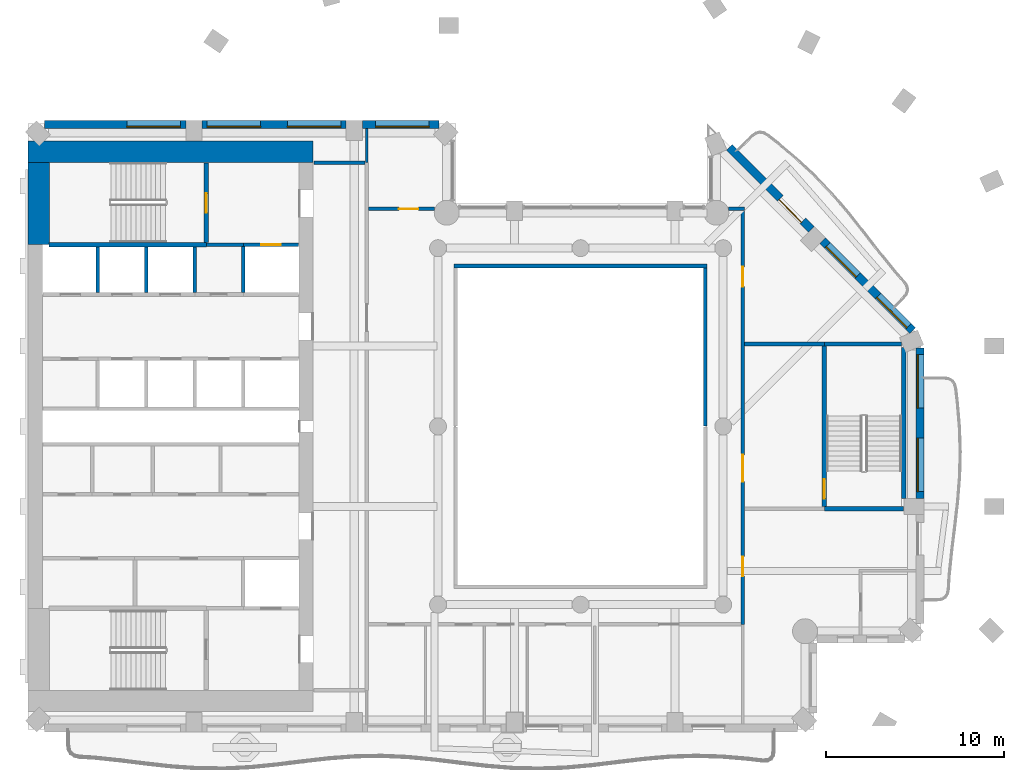
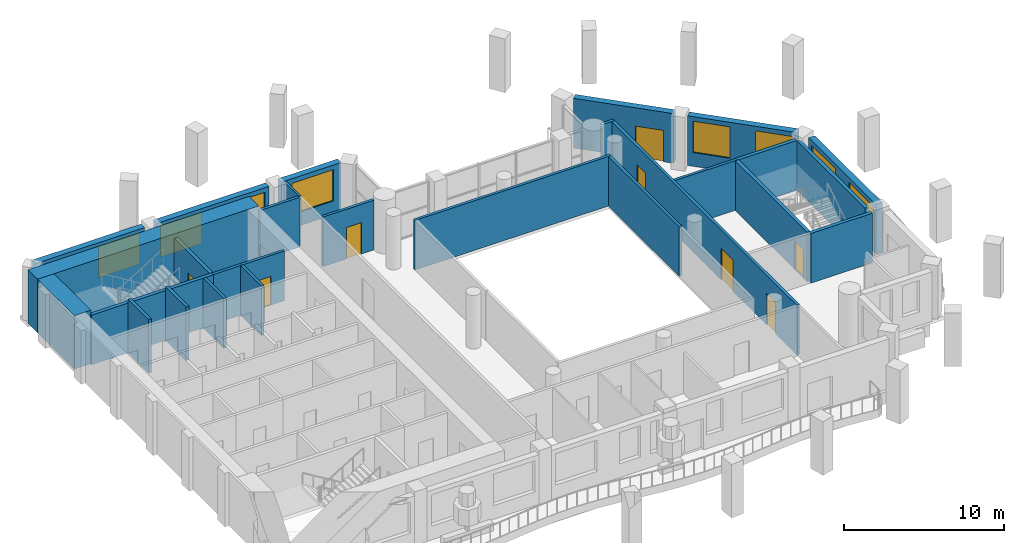
# One storey, part 6 of 14: 28 walls, 8 doors, 8 windows, 16 openings.
"""IFC4 building model written with IfcOpenShell, lengths in metres."""

from ifc_helpers import new_model, si_unit, direction, frame, frame_2d, origin, place, context, subcontext, project, spatial, rectangle, extrude, material, layer, layer_set, type_object, element, fill, save


model = new_model("IFC4")

# Units and contexts
model_context = context("Model", 3, precision=1e-05, world=origin(), true_north=direction((0.0, 1.0)))
body_context = subcontext(model_context, "Body", "Model", "MODEL_VIEW")
ifc_project = project(units=[si_unit("LENGTHUNIT", "METRE"), si_unit("AREAUNIT", "SQUARE_METRE"), si_unit("VOLUMEUNIT", "CUBIC_METRE"), si_unit("PLANEANGLEUNIT", "RADIAN"), si_unit("MASSUNIT", "GRAM", prefix="KILO")], contexts=[model_context])

# Site, building, storey
site_placement = place(None, origin())
site = spatial("IfcSite", under=ifc_project, at=site_placement, CompositionType="ELEMENT")
building_placement = place(site_placement, origin())
building = spatial("IfcBuilding", under=site, at=building_placement, Name="Cypress Arch Tower", CompositionType="ELEMENT")
storey_placement = place(building_placement, frame((0.0, 0.0, 185.10009765625)))
storey = spatial("IfcBuildingStorey", under=building, at=storey_placement, Name="L40", CompositionType="ELEMENT", Elevation=185.10009765625)

# Wall, openings, windows
ifc_material_1 = material(Name="Brick (red buff blend)", Category="masonry")
ifc_layer_1 = layer(ifc_material_1, 0.449951171875)
ifc_layer_set_1 = layer_set([ifc_layer_1], Name="Brick pier and spandrel wall BW450")
wall_type_1 = type_object("IfcWallType", Name="Brick pier and spandrel wall BW450", PredefinedType="SOLIDWALL", material=ifc_layer_set_1)
wall_1_placement = place(storey_placement, frame((20.02490234375, -4.050048828125, 0.0), z_axis=(0.0, 0.0, 1.0), x_axis=(0.0, 1.0, 0.0)))
wall_1 = element("IfcWall", 1, at=wall_1_placement, inside=storey, type_object=wall_type_1, Name="Brick wall L40 B04.1", PredefinedType="SOLIDWALL", context=body_context, shape_type="SweptSolid", body=[
    extrude(rectangle(XDim=8.438720703125, YDim=0.449951171875, at=frame_2d((4.21923828125, 0.0))), origin(), (0.0, 0.0, 1.0), 3.7998046875),
])
opening_1_placement = place(wall_1_placement, frame((0.39404296875, 0.0, 1.050048828125)))
opening_1 = element("IfcOpeningElement", 2, at=opening_1_placement, cuts=wall_1, Name="Opening W300OD", PredefinedType="OPENING", context=body_context, shape_type="SweptSolid", body=[
    extrude(rectangle(XDim=3.0, YDim=2.39990234375, at=frame_2d((1.5, 1.199951171875))), frame((0.0, 0.23486328125, 0.0), z_axis=(0.0, -1.0, 0.0), x_axis=(1.0, 0.0, 0.0)), (0.0, 0.0, 1.0), 0.469970703125),
])
opening_2_placement = place(wall_1_placement, frame((5.081787109375, 0.0, 1.050048828125)))
opening_2 = element("IfcOpeningElement", 3, at=opening_2_placement, cuts=wall_1, Name="Opening W300OD", PredefinedType="OPENING", context=body_context, shape_type="SweptSolid", body=[
    extrude(rectangle(XDim=3.0, YDim=2.39990234375, at=frame_2d((1.5, 1.199951171875))), frame((0.0, 0.23486328125, 0.0), z_axis=(0.0, -1.0, 0.0), x_axis=(1.0, 0.0, 0.0)), (0.0, 0.0, 1.0), 0.469970703125),
])
ifc_material_2 = material(Name="Anodised aluminium, bronze finish, laminated low-emissivity double glazing, large-missile impact rated", Category="aluminium")
window_type_1 = type_object("IfcWindowType", Name="Window Office 3000x2400 debris-rated", PartitioningType="SINGLE_PANEL", PredefinedType="WINDOW", material=ifc_material_2)
window_1_placement = place(opening_1_placement, origin())
window_1 = element("IfcWindow", 4, at=window_1_placement, inside=storey, type_object=window_type_1, Name="Window L40 B04.1.1", OverallHeight=2.39990234375, OverallWidth=3.0, PartitioningType="SINGLE_PANEL", PredefinedType="WINDOW", context=body_context, shape_type="SweptSolid", body=[
    extrude(rectangle(XDim=3.0, YDim=2.39990234375, at=frame_2d((1.5, 1.199951171875))), frame((0.0, 0.135009765625, 0.0), z_axis=(0.0, -1.0, 0.0), x_axis=(1.0, 0.0, 0.0)), (0.0, 0.0, 1.0), 0.06005859375),
])
fill(opening_1, window_1)
window_2_placement = place(opening_2_placement, origin())
window_2 = element("IfcWindow", 5, at=window_2_placement, inside=storey, type_object=window_type_1, Name="Window L40 B04.1.2", OverallHeight=2.39990234375, OverallWidth=3.0, PartitioningType="SINGLE_PANEL", PredefinedType="WINDOW", context=body_context, shape_type="SweptSolid", body=[
    extrude(rectangle(XDim=3.0, YDim=2.39990234375, at=frame_2d((1.5, 1.199951171875))), frame((0.0, 0.135009765625, 0.0), z_axis=(0.0, -1.0, 0.0), x_axis=(1.0, 0.0, 0.0)), (0.0, 0.0, 1.0), 0.06005859375),
])
fill(opening_2, window_2)

wall_2_placement = place(storey_placement, frame((19.61474609375, 5.379150390625, 0.0), z_axis=(0.0, 0.0, 1.0), x_axis=(-0.707089646058, 0.7071239159, 0.0)))
wall_2 = element("IfcWall", 6, at=wall_2_placement, inside=storey, type_object=wall_type_1, Name="Brick wall L40 B05.0", PredefinedType="SOLIDWALL", context=body_context, shape_type="SweptSolid", body=[
    extrude(rectangle(XDim=7.1240234375, YDim=0.449951171875, at=frame_2d((3.56201171875, 0.0))), origin(), (0.0, 0.0, 1.0), 3.7998046875),
])
opening_3_placement = place(wall_2_placement, frame((0.328125, 0.0, 1.050048828125)))
opening_3 = element("IfcOpeningElement", 7, at=opening_3_placement, cuts=wall_2, Name="Opening W240OD", PredefinedType="OPENING", context=body_context, shape_type="SweptSolid", body=[
    extrude(rectangle(XDim=2.39990234375, YDim=2.39990234375, at=frame_2d((1.199951171875, 1.199951171875))), frame((0.0, 0.23486328125, 0.0), z_axis=(0.0, -1.0, 0.0), x_axis=(1.0, 0.0, 0.0)), (0.0, 0.0, 1.0), 0.469970703125),
])
opening_4_placement = place(wall_2_placement, frame((4.358642578125, 0.0, 1.050048828125)))
opening_4 = element("IfcOpeningElement", 8, at=opening_4_placement, cuts=wall_2, Name="Opening W240OD", PredefinedType="OPENING", context=body_context, shape_type="SweptSolid", body=[
    extrude(rectangle(XDim=2.39990234375, YDim=2.39990234375, at=frame_2d((1.199951171875, 1.199951171875))), frame((0.0, 0.23486328125, 0.0), z_axis=(0.0, -1.0, 0.0), x_axis=(1.0, 0.0, 0.0)), (0.0, 0.0, 1.0), 0.469970703125),
])
ifc_material_3 = material(Name="Anodised aluminium, bronze finish, laminated low-emissivity double glazing, large-missile impact rated", Category="aluminium")
window_type_2 = type_object("IfcWindowType", Name="Window Office 2400x2400 debris-rated", PartitioningType="SINGLE_PANEL", PredefinedType="WINDOW", material=ifc_material_3)
window_3_placement = place(opening_3_placement, origin())
window_3 = element("IfcWindow", 9, at=window_3_placement, inside=storey, type_object=window_type_2, Name="Window L40 B05.0.1", OverallHeight=2.39990234375, OverallWidth=2.39990234375, PartitioningType="SINGLE_PANEL", PredefinedType="WINDOW", context=body_context, shape_type="SweptSolid", body=[
    extrude(rectangle(XDim=2.39990234375, YDim=2.39990234375, at=frame_2d((1.199951171875, 1.199951171875))), frame((0.0, 0.135009765625, 0.0), z_axis=(0.0, -1.0, 0.0), x_axis=(1.0, 0.0, 0.0)), (0.0, 0.0, 1.0), 0.06005859375),
])
fill(opening_3, window_3)
window_4_placement = place(opening_4_placement, origin())
window_4 = element("IfcWindow", 10, at=window_4_placement, inside=storey, type_object=window_type_2, Name="Window L40 B05.0.2", OverallHeight=2.39990234375, OverallWidth=2.39990234375, PartitioningType="SINGLE_PANEL", PredefinedType="WINDOW", context=body_context, shape_type="SweptSolid", body=[
    extrude(rectangle(XDim=2.39990234375, YDim=2.39990234375, at=frame_2d((1.199951171875, 1.199951171875))), frame((0.0, 0.135009765625, 0.0), z_axis=(0.0, -1.0, 0.0), x_axis=(1.0, 0.0, 0.0)), (0.0, 0.0, 1.0), 0.06005859375),
])
fill(opening_4, window_4)

# Wall, opening, door
wall_3_placement = place(storey_placement, frame((13.94091796875, 11.052978515625, 0.0), z_axis=(0.0, 0.0, 1.0), x_axis=(-0.707106781187, 0.707106781187, 0.0)))
wall_3 = element("IfcWall", 11, at=wall_3_placement, inside=storey, type_object=wall_type_1, Name="Brick wall L40 B05.1", PredefinedType="SOLIDWALL", context=body_context, shape_type="SweptSolid", body=[
    extrude(rectangle(XDim=6.505126953125, YDim=0.449951171875, at=frame_2d((3.25244140625, 0.0))), origin(), (0.0, 0.0, 1.0), 3.7998046875),
])
opening_5_placement = place(wall_3_placement, frame((0.665283203125, 0.0, 0.0)))
opening_5 = element("IfcOpeningElement", 12, at=opening_5_placement, cuts=wall_3, Name="Opening D-L40-B05.1.1", PredefinedType="OPENING", context=body_context, shape_type="SweptSolid", body=[
    extrude(rectangle(XDim=1.800048828125, YDim=2.39990234375, at=frame_2d((0.89990234375, 1.199951171875))), frame((0.0, 0.23486328125, 0.0), z_axis=(0.0, -1.0, 0.0), x_axis=(1.0, 0.0, 0.0)), (0.0, 0.0, 1.0), 0.469970703125),
])
ifc_material_4 = material(Name="Anodised aluminium, bronze finish, laminated low-emissivity double glazing, large-missile impact rated", Category="aluminium")
door_type_1 = type_object("IfcDoorType", Name="Balcony sliding door 1800x2400", OperationType="SLIDING_TO_LEFT", PredefinedType="DOOR", material=ifc_material_4)
door_1_placement = place(opening_5_placement, origin())
door_1 = element("IfcDoor", 13, at=door_1_placement, inside=storey, type_object=door_type_1, Name="Balcony door L40 B05.1.1", OperationType="SLIDING_TO_LEFT", OverallHeight=2.39990234375, OverallWidth=1.800048828125, PredefinedType="DOOR", context=body_context, shape_type="SweptSolid", body=[
    extrude(rectangle(XDim=1.800048828125, YDim=2.39990234375, at=frame_2d((0.89990234375, 1.199951171875))), frame((0.0, 0.1298828125, 0.0), z_axis=(0.0, -1.0, 0.0), x_axis=(1.0, 0.0, 0.0)), (0.0, 0.0, 1.0), 0.050048828125),
])
fill(opening_5, door_1)

# Wall, opening, window
wall_4_placement = place(storey_placement, frame((-6.936279296875, 16.925048828125, 0.0), z_axis=(0.0, 0.0, 1.0), x_axis=(-1.0, 0.0, 0.0)))
wall_4 = element("IfcWall", 14, at=wall_4_placement, inside=storey, type_object=wall_type_1, Name="Brick wall L40 B09.0", PredefinedType="SOLIDWALL", context=body_context, shape_type="SweptSolid", body=[
    extrude(rectangle(XDim=4.313720703125, YDim=0.449951171875, at=frame_2d((2.15673828125, 0.0))), origin(), (0.0, 0.0, 1.0), 3.7998046875),
])
opening_6_placement = place(wall_4_placement, frame((0.563720703125, 0.0, 1.050048828125)))
opening_6 = element("IfcOpeningElement", 15, at=opening_6_placement, cuts=wall_4, Name="Opening W300O", PredefinedType="OPENING", context=body_context, shape_type="SweptSolid", body=[
    extrude(rectangle(XDim=3.0, YDim=2.39990234375, at=frame_2d((1.5, 1.199951171875))), frame((0.0, 0.23486328125, 0.0), z_axis=(0.0, -1.0, 0.0), x_axis=(1.0, 0.0, 0.0)), (0.0, 0.0, 1.0), 0.469970703125),
])
ifc_material_5 = material(Name="Anodised aluminium, bronze finish, clear low-emissivity double glazing", Category="aluminium")
window_type_3 = type_object("IfcWindowType", Name="Window Office 3000x2400", PartitioningType="SINGLE_PANEL", PredefinedType="WINDOW", material=ifc_material_5)
window_5_placement = place(opening_6_placement, origin())
window_5 = element("IfcWindow", 16, at=window_5_placement, inside=storey, type_object=window_type_3, Name="Window L40 B09.0.1", OverallHeight=2.39990234375, OverallWidth=3.0, PartitioningType="SINGLE_PANEL", PredefinedType="WINDOW", context=body_context, shape_type="SweptSolid", body=[
    extrude(rectangle(XDim=3.0, YDim=2.39990234375, at=frame_2d((1.5, 1.199951171875))), frame((0.0, 0.135009765625, 0.0), z_axis=(0.0, -1.0, 0.0), x_axis=(1.0, 0.0, 0.0)), (0.0, 0.0, 1.0), 0.06005859375),
])
fill(opening_6, window_5)

# Wall, openings, windows
wall_5_placement = place(storey_placement, frame((-12.14990234375, 16.925048828125, 0.0), z_axis=(0.0, 0.0, 1.0), x_axis=(-1.0, 0.0, 0.0)))
wall_5 = element("IfcWall", 17, at=wall_5_placement, inside=storey, type_object=wall_type_1, Name="Brick wall L40 B09.1", PredefinedType="SOLIDWALL", context=body_context, shape_type="SweptSolid", body=[
    extrude(rectangle(XDim=8.10009765625, YDim=0.449951171875, at=frame_2d((4.050048828125, 0.0))), origin(), (0.0, 0.0, 1.0), 3.7998046875),
])
opening_7_placement = place(wall_5_placement, frame((0.300048828125, 0.0, 1.050048828125)))
opening_7 = element("IfcOpeningElement", 18, at=opening_7_placement, cuts=wall_5, Name="Opening W300O", PredefinedType="OPENING", context=body_context, shape_type="SweptSolid", body=[
    extrude(rectangle(XDim=3.0, YDim=2.39990234375, at=frame_2d((1.5, 1.199951171875))), frame((0.0, 0.23486328125, 0.0), z_axis=(0.0, -1.0, 0.0), x_axis=(1.0, 0.0, 0.0)), (0.0, 0.0, 1.0), 0.469970703125),
])
opening_8_placement = place(wall_5_placement, frame((4.800048828125, 0.0, 1.050048828125)))
opening_8 = element("IfcOpeningElement", 19, at=opening_8_placement, cuts=wall_5, Name="Opening W300O", PredefinedType="OPENING", context=body_context, shape_type="SweptSolid", body=[
    extrude(rectangle(XDim=3.0, YDim=2.39990234375, at=frame_2d((1.5, 1.199951171875))), frame((0.0, 0.23486328125, 0.0), z_axis=(0.0, -1.0, 0.0), x_axis=(1.0, 0.0, 0.0)), (0.0, 0.0, 1.0), 0.469970703125),
])
window_6_placement = place(opening_7_placement, origin())
window_6 = element("IfcWindow", 20, at=window_6_placement, inside=storey, type_object=window_type_3, Name="Window L40 B09.1.1", OverallHeight=2.39990234375, OverallWidth=3.0, PartitioningType="SINGLE_PANEL", PredefinedType="WINDOW", context=body_context, shape_type="SweptSolid", body=[
    extrude(rectangle(XDim=3.0, YDim=2.39990234375, at=frame_2d((1.5, 1.199951171875))), frame((0.0, 0.135009765625, 0.0), z_axis=(0.0, -1.0, 0.0), x_axis=(1.0, 0.0, 0.0)), (0.0, 0.0, 1.0), 0.06005859375),
])
fill(opening_7, window_6)
window_7_placement = place(opening_8_placement, origin())
window_7 = element("IfcWindow", 21, at=window_7_placement, inside=storey, type_object=window_type_3, Name="Window L40 B09.1.2", OverallHeight=2.39990234375, OverallWidth=3.0, PartitioningType="SINGLE_PANEL", PredefinedType="WINDOW", context=body_context, shape_type="SweptSolid", body=[
    extrude(rectangle(XDim=3.0, YDim=2.39990234375, at=frame_2d((1.5, 1.199951171875))), frame((0.0, 0.135009765625, 0.0), z_axis=(0.0, -1.0, 0.0), x_axis=(1.0, 0.0, 0.0)), (0.0, 0.0, 1.0), 0.06005859375),
])
fill(opening_8, window_7)

# Wall, opening, window
wall_6_placement = place(storey_placement, frame((-21.14990234375, 16.925048828125, 0.0), z_axis=(0.0, 0.0, 1.0), x_axis=(-1.0, 0.0, 0.0)))
wall_6 = element("IfcWall", 22, at=wall_6_placement, inside=storey, type_object=wall_type_1, Name="Brick wall L40 B09.2", PredefinedType="SOLIDWALL", context=body_context, shape_type="SweptSolid", body=[
    extrude(rectangle(XDim=7.913818359375, YDim=0.449951171875, at=frame_2d((3.95703125, 0.0))), origin(), (0.0, 0.0, 1.0), 3.7998046875),
])
opening_9_placement = place(wall_6_placement, frame((0.300048828125, 0.0, 1.050048828125)))
opening_9 = element("IfcOpeningElement", 23, at=opening_9_placement, cuts=wall_6, Name="Opening W300O", PredefinedType="OPENING", context=body_context, shape_type="SweptSolid", body=[
    extrude(rectangle(XDim=3.0, YDim=2.39990234375, at=frame_2d((1.5, 1.199951171875))), frame((0.0, 0.23486328125, 0.0), z_axis=(0.0, -1.0, 0.0), x_axis=(1.0, 0.0, 0.0)), (0.0, 0.0, 1.0), 0.469970703125),
])
window_8_placement = place(opening_9_placement, origin())
window_8 = element("IfcWindow", 24, at=window_8_placement, inside=storey, type_object=window_type_3, Name="Window L40 B09.2.1", OverallHeight=2.39990234375, OverallWidth=3.0, PartitioningType="SINGLE_PANEL", PredefinedType="WINDOW", context=body_context, shape_type="SweptSolid", body=[
    extrude(rectangle(XDim=3.0, YDim=2.39990234375, at=frame_2d((1.5, 1.199951171875))), frame((0.0, 0.135009765625, 0.0), z_axis=(0.0, -1.0, 0.0), x_axis=(1.0, 0.0, 0.0)), (0.0, 0.0, 1.0), 0.06005859375),
])
fill(opening_9, window_8)

# Walls
ifc_material_6 = material(Name="Concrete C70/85", Category="concrete")
ifc_layer_2 = layer(ifc_material_6, 1.199951171875)
ifc_layer_set_2 = layer_set([ifc_layer_2], Name="Core wall CW1200 C70/85")
wall_type_2 = type_object("IfcWallType", Name="Core wall CW1200 C70/85", PredefinedType="SHEAR", material=ifc_layer_set_2)
wall_7_placement = place(storey_placement, frame((-30.0, 15.39990234375, 0.0), z_axis=(0.0, 0.0, 1.0), x_axis=(1.0, 0.0, 0.0)))
element("IfcWall", 25, at=wall_7_placement, inside=storey, type_object=wall_type_2, Name="Core wall", PredefinedType="SHEAR", context=body_context, shape_type="SweptSolid", body=[
    extrude(rectangle(XDim=16.0, YDim=1.199951171875, at=frame_2d((8.0, 0.0))), origin(), (0.0, 0.0, 1.0), 4.099853515625),
])
wall_8_placement = place(storey_placement, frame((-29.39990234375, 10.199951171875, 0.0), z_axis=(0.0, 0.0, 1.0), x_axis=(0.0, 1.0, 0.0)))
element("IfcWall", 26, at=wall_8_placement, inside=storey, type_object=wall_type_2, Name="Core wall", PredefinedType="SHEAR", context=body_context, shape_type="SweptSolid", body=[
    extrude(rectangle(XDim=4.60009765625, YDim=1.199951171875, at=frame_2d((2.300048828125, 0.0))), origin(), (0.0, 0.0, 1.0), 4.099853515625),
])
ifc_material_7 = material(Name="Concrete blockwork, plastered, rated", Category="masonry")
ifc_layer_3 = layer(ifc_material_7, 0.199951171875)
ifc_layer_set_3 = layer_set([ifc_layer_3], Name="Corridor wall FW200")
wall_type_3 = type_object("IfcWallType", Name="Corridor wall FW200", PredefinedType="PARTITIONING", material=ifc_layer_set_3)
wall_9_placement = place(storey_placement, frame((-20.0, 10.199951171875, 0.0), z_axis=(0.0, 0.0, 1.0), x_axis=(1.0, 0.0, 0.0)))
element("IfcWall", 27, at=wall_9_placement, inside=storey, type_object=wall_type_3, Name="Corridor wall", PredefinedType="PARTITIONING", context=body_context, shape_type="SweptSolid", body=[
    extrude(rectangle(XDim=2.080078125, YDim=0.199951171875, at=frame_2d((1.0400390625, 0.0))), origin(), (0.0, 0.0, 1.0), 3.7998046875),
])
wall_10_placement = place(storey_placement, frame((-13.969970703125, 14.800048828125, 0.0), z_axis=(0.0, 0.0, 1.0), x_axis=(1.0, 0.0, 0.0)))
element("IfcWall", 28, at=wall_10_placement, inside=storey, type_object=wall_type_3, Name="Corridor wall", PredefinedType="PARTITIONING", context=body_context, shape_type="SweptSolid", body=[
    extrude(rectangle(XDim=2.869873046875, YDim=0.199951171875, at=frame_2d((1.43505859375, 0.0))), origin(), (0.0, 0.0, 1.0), 3.7998046875),
])

# Wall, opening, door
wall_11_placement = place(storey_placement, frame((-10.89990234375, 12.199951171875, 0.0), z_axis=(0.0, 0.0, 1.0), x_axis=(1.0, 0.0, 0.0)))
wall_11 = element("IfcWall", 29, at=wall_11_placement, inside=storey, type_object=wall_type_3, Name="Corridor wall", PredefinedType="PARTITIONING", context=body_context, shape_type="SweptSolid", body=[
    extrude(rectangle(XDim=3.7041015625, YDim=0.199951171875, at=frame_2d((1.85205078125, 0.0))), origin(), (0.0, 0.0, 1.0), 3.7998046875),
])
opening_10_placement = place(wall_11_placement, frame((1.699951171875, 0.0, 0.0)))
opening_10 = element("IfcOpeningElement", 30, at=opening_10_placement, cuts=wall_11, Name="Opening D01", PredefinedType="OPENING", context=body_context, shape_type="SweptSolid", body=[
    extrude(rectangle(XDim=1.10009765625, YDim=2.39990234375, at=frame_2d((0.550048828125, 1.199951171875))), frame((0.0, 0.10986328125, 0.0), z_axis=(0.0, -1.0, 0.0), x_axis=(1.0, 0.0, 0.0)), (0.0, 0.0, 1.0), 0.219970703125),
])
ifc_material_8 = material(Name="Timber flush door, fire resisting, self-closing", Category="wood")
door_type_2 = type_object("IfcDoorType", Name="Unit entrance door D01 1100x2400", OperationType="SINGLE_SWING_LEFT", PredefinedType="DOOR", material=ifc_material_8)
door_2_placement = place(opening_10_placement, origin())
door_2 = element("IfcDoor", 31, at=door_2_placement, inside=storey, type_object=door_type_2, Name="Unit entrance door", OperationType="SINGLE_SWING_RIGHT", OverallHeight=2.39990234375, OverallWidth=1.10009765625, PredefinedType="DOOR", context=body_context, shape_type="SweptSolid", body=[
    extrude(rectangle(XDim=1.10009765625, YDim=2.39990234375, at=frame_2d((0.550048828125, 1.199951171875))), frame((0.0, 0.02490234375, 0.0), z_axis=(0.0, -1.0, 0.0), x_axis=(1.0, 0.0, 0.0)), (0.0, 0.0, 1.0), 0.050048828125),
])
fill(opening_10, door_2)

# Walls
wall_12_placement = place(storey_placement, frame((-6.10009765625, 9.0, 0.0), z_axis=(0.0, 0.0, 1.0), x_axis=(1.0, 0.0, 0.0)))
element("IfcWall", 32, at=wall_12_placement, inside=storey, type_object=wall_type_3, Name="Corridor wall", PredefinedType="PARTITIONING", context=body_context, shape_type="SweptSolid", body=[
    extrude(rectangle(XDim=14.2001953125, YDim=0.199951171875, at=frame_2d((7.10009765625, 0.0))), origin(), (0.0, 0.0, 1.0), 3.7998046875),
])
wall_13_placement = place(storey_placement, frame((8.0, 0.02001953125, 0.0), z_axis=(0.0, 0.0, 1.0), x_axis=(0.0, 1.0, 0.0)))
element("IfcWall", 33, at=wall_13_placement, inside=storey, type_object=wall_type_3, Name="Corridor wall", PredefinedType="PARTITIONING", context=body_context, shape_type="SweptSolid", body=[
    extrude(rectangle(XDim=8.8798828125, YDim=0.199951171875, at=frame_2d((4.43994140625, 0.0))), origin(), (0.0, 0.0, 1.0), 3.7998046875),
])
wall_14_placement = place(storey_placement, frame((9.295654296875, 12.199951171875, 0.0), z_axis=(0.0, 0.0, 1.0), x_axis=(1.0, 0.0, 0.0)))
element("IfcWall", 34, at=wall_14_placement, inside=storey, type_object=wall_type_3, Name="Corridor wall", PredefinedType="PARTITIONING", context=body_context, shape_type="SweptSolid", body=[
    extrude(rectangle(XDim=0.904296875, YDim=0.199951171875, at=frame_2d((0.4521484375, 0.0))), origin(), (0.0, 0.0, 1.0), 3.7998046875),
])

# Wall, openings, doors
wall_15_placement = place(storey_placement, frame((10.10009765625, -11.10009765625, 0.0), z_axis=(0.0, 0.0, 1.0), x_axis=(0.0, 1.0, 0.0)))
wall_15 = element("IfcWall", 35, at=wall_15_placement, inside=storey, type_object=wall_type_3, Name="Corridor wall", PredefinedType="PARTITIONING", context=body_context, shape_type="SweptSolid", body=[
    extrude(rectangle(XDim=23.2001953125, YDim=0.199951171875, at=frame_2d((11.60009765625, 0.0))), origin(), (0.0, 0.0, 1.0), 3.7998046875),
])
opening_11_placement = place(wall_15_placement, frame((8.0, 0.0, 0.0)))
opening_11 = element("IfcOpeningElement", 36, at=opening_11_placement, cuts=wall_15, Name="Opening D07", PredefinedType="OPENING", context=body_context, shape_type="SweptSolid", body=[
    extrude(rectangle(XDim=1.5, YDim=2.39990234375, at=frame_2d((0.75, 1.199951171875))), frame((0.0, 0.10986328125, 0.0), z_axis=(0.0, -1.0, 0.0), x_axis=(1.0, 0.0, 0.0)), (0.0, 0.0, 1.0), 0.219970703125),
])
opening_12_placement = place(wall_15_placement, frame((18.949951171875, 0.0, 0.0)))
opening_12 = element("IfcOpeningElement", 37, at=opening_12_placement, cuts=wall_15, Name="Opening D01", PredefinedType="OPENING", context=body_context, shape_type="SweptSolid", body=[
    extrude(rectangle(XDim=1.10009765625, YDim=2.39990234375, at=frame_2d((0.550048828125, 1.199951171875))), frame((0.0, 0.10986328125, 0.0), z_axis=(0.0, -1.0, 0.0), x_axis=(1.0, 0.0, 0.0)), (0.0, 0.0, 1.0), 0.219970703125),
])
opening_13_placement = place(wall_15_placement, frame((2.699951171875, 0.0, 0.0)))
opening_13 = element("IfcOpeningElement", 38, at=opening_13_placement, cuts=wall_15, Name="Opening D01", PredefinedType="OPENING", context=body_context, shape_type="SweptSolid", body=[
    extrude(rectangle(XDim=1.10009765625, YDim=2.39990234375, at=frame_2d((0.550048828125, 1.199951171875))), frame((0.0, 0.10986328125, 0.0), z_axis=(0.0, -1.0, 0.0), x_axis=(1.0, 0.0, 0.0)), (0.0, 0.0, 1.0), 0.219970703125),
])
ifc_material_9 = material(Name="Steel framed glazed door, fire resisting", Category="steel")
door_type_3 = type_object("IfcDoorType", Name="Lobby door D07 1500x2400", OperationType="DOUBLE_DOOR_SINGLE_SWING", PredefinedType="DOOR", material=ifc_material_9)
door_3_placement = place(opening_11_placement, origin())
door_3 = element("IfcDoor", 39, at=door_3_placement, inside=storey, type_object=door_type_3, Name="Lobby door", OperationType="DOUBLE_DOOR_SINGLE_SWING", OverallHeight=2.39990234375, OverallWidth=1.5, PredefinedType="DOOR", context=body_context, shape_type="SweptSolid", body=[
    extrude(rectangle(XDim=1.5, YDim=2.39990234375, at=frame_2d((0.75, 1.199951171875))), frame((0.0, 0.02490234375, 0.0), z_axis=(0.0, -1.0, 0.0), x_axis=(1.0, 0.0, 0.0)), (0.0, 0.0, 1.0), 0.050048828125),
])
fill(opening_11, door_3)
door_4_placement = place(opening_12_placement, origin())
door_4 = element("IfcDoor", 40, at=door_4_placement, inside=storey, type_object=door_type_2, Name="Unit entrance door", OperationType="SINGLE_SWING_LEFT", OverallHeight=2.39990234375, OverallWidth=1.10009765625, PredefinedType="DOOR", context=body_context, shape_type="SweptSolid", body=[
    extrude(rectangle(XDim=1.10009765625, YDim=2.39990234375, at=frame_2d((0.550048828125, 1.199951171875))), frame((0.0, 0.02490234375, 0.0), z_axis=(0.0, -1.0, 0.0), x_axis=(1.0, 0.0, 0.0)), (0.0, 0.0, 1.0), 0.050048828125),
])
fill(opening_12, door_4)
door_5_placement = place(opening_13_placement, origin())
door_5 = element("IfcDoor", 41, at=door_5_placement, inside=storey, type_object=door_type_2, Name="Unit entrance door", OperationType="SINGLE_SWING_LEFT", OverallHeight=2.39990234375, OverallWidth=1.10009765625, PredefinedType="DOOR", context=body_context, shape_type="SweptSolid", body=[
    extrude(rectangle(XDim=1.10009765625, YDim=2.39990234375, at=frame_2d((0.550048828125, 1.199951171875))), frame((0.0, 0.02490234375, 0.0), z_axis=(0.0, -1.0, 0.0), x_axis=(1.0, 0.0, 0.0)), (0.0, 0.0, 1.0), 0.050048828125),
])
fill(opening_13, door_5)

# Walls
wall_16_placement = place(storey_placement, frame((10.199951171875, 4.625, 0.0), z_axis=(0.0, 0.0, 1.0), x_axis=(1.0, 0.0, 0.0)))
element("IfcWall", 42, at=wall_16_placement, inside=storey, type_object=wall_type_3, Name="Corridor wall", PredefinedType="PARTITIONING", context=body_context, shape_type="SweptSolid", body=[
    extrude(rectangle(XDim=4.47509765625, YDim=0.199951171875, at=frame_2d((2.237548828125, 0.0))), origin(), (0.0, 0.0, 1.0), 3.7998046875),
])
ifc_material_10 = material(Name="Blockwork, plastered both sides", Category="masonry")
ifc_layer_4 = layer(ifc_material_10, 0.14990234375)
ifc_layer_set_4 = layer_set([ifc_layer_4], Name="Partition PW150")
wall_type_4 = type_object("IfcWallType", Name="Partition PW150", PredefinedType="PARTITIONING", material=ifc_layer_set_4)
wall_17_placement = place(storey_placement, frame((-11.0, 14.820068359375, 0.0), z_axis=(0.0, 0.0, 1.0), x_axis=(0.0, 1.0, 0.0)))
element("IfcWall", 43, at=wall_17_placement, inside=storey, type_object=wall_type_4, Name="Partition", PredefinedType="PARTITIONING", context=body_context, shape_type="SweptSolid", body=[
    extrude(rectangle(XDim=1.8798828125, YDim=0.14990234375, at=frame_2d((0.93994140625, 0.0))), origin(), (0.0, 0.0, 1.0), 3.7998046875),
])
ifc_material_11 = material(Name="Concrete C50/60", Category="concrete")
ifc_layer_5 = layer(ifc_material_11, 0.199951171875)
ifc_layer_set_5 = layer_set([ifc_layer_5], Name="Shaft wall SH200")
wall_type_5 = type_object("IfcWallType", Name="Shaft wall SH200", PredefinedType="SHEAR", material=ifc_layer_set_5)
for number, where, z_axis, x_axis, name in (
    (44, (-26.080078125, 7.5, 0.0), (0.0, 0.0, 1.0), (0.0, 1.0, 0.0), "Shaft wall"),
    (45, (-23.360107421875, 7.5, 0.0), (0.0, 0.0, 1.0), (0.0, 1.0, 0.0), "Shaft wall"),
):
    element("IfcWall", number, at=place(storey_placement, frame(where, z_axis=z_axis, x_axis=x_axis)), inside=storey, type_object=wall_type_5, Name=name, PredefinedType="SHEAR", context=body_context, shape_type="SweptSolid", body=[
        extrude(rectangle(XDim=2.574951171875, YDim=0.199951171875, at=frame_2d((1.28759765625, 0.0))), origin(), (0.0, 0.0, 1.0), 4.099853515625),
    ])
wall_18_placement = place(storey_placement, frame((-20.639892578125, 7.5, 0.0), z_axis=(0.0, 0.0, 1.0), x_axis=(0.0, 1.0, 0.0)))
element("IfcWall", 46, at=wall_18_placement, inside=storey, type_object=wall_type_5, Name="Shaft wall", PredefinedType="SHEAR", context=body_context, shape_type="SweptSolid", body=[
    extrude(rectangle(XDim=2.574951171875, YDim=0.199951171875, at=frame_2d((1.28759765625, 0.0))), origin(), (0.0, 0.0, 1.0), 3.7998046875),
])
wall_19_placement = place(storey_placement, frame((-17.919921875, 7.5, 0.0), z_axis=(0.0, 0.0, 1.0), x_axis=(0.0, 1.0, 0.0)))
element("IfcWall", 47, at=wall_19_placement, inside=storey, type_object=wall_type_5, Name="Shaft wall", PredefinedType="SHEAR", context=body_context, shape_type="SweptSolid", body=[
    extrude(rectangle(XDim=2.60009765625, YDim=0.199951171875, at=frame_2d((1.300048828125, 0.0))), origin(), (0.0, 0.0, 1.0), 3.7998046875),
])

# Wall, opening, door
wall_20_placement = place(storey_placement, frame((-17.919921875, 10.199951171875, 0.0), z_axis=(0.0, 0.0, 1.0), x_axis=(1.0, 0.0, 0.0)))
wall_20 = element("IfcWall", 48, at=wall_20_placement, inside=storey, type_object=wall_type_5, Name="Shaft wall", PredefinedType="SHEAR", context=body_context, shape_type="SweptSolid", body=[
    extrude(rectangle(XDim=3.08984375, YDim=0.199951171875, at=frame_2d((1.544921875, 0.0))), origin(), (0.0, 0.0, 1.0), 3.7998046875),
])
opening_14_placement = place(wall_20_placement, frame((1.0, 0.0, 0.0)))
opening_14 = element("IfcOpeningElement", 49, at=opening_14_placement, cuts=wall_20, Name="Opening LD-FL2", PredefinedType="OPENING", context=body_context, shape_type="SweptSolid", body=[
    extrude(rectangle(XDim=1.10009765625, YDim=2.199951171875, at=frame_2d((0.550048828125, 1.10009765625))), frame((0.0, 0.10986328125, 0.0), z_axis=(0.0, -1.0, 0.0), x_axis=(1.0, 0.0, 0.0)), (0.0, 0.0, 1.0), 0.219970703125),
])
ifc_material_12 = material(Name="Stainless steel centre-opening landing door, rated", Category="steel")
door_type_4 = type_object("IfcDoorType", Name="Lift landing door LD 1100x2200", OperationType="DOUBLE_DOOR_SLIDING", PredefinedType="DOOR", material=ifc_material_12)
door_6_placement = place(opening_14_placement, origin())
door_6 = element("IfcDoor", 50, at=door_6_placement, inside=storey, type_object=door_type_4, Name="Lift landing doors FL2", OperationType="DOUBLE_DOOR_SLIDING", OverallHeight=2.199951171875, OverallWidth=1.10009765625, PredefinedType="DOOR", context=body_context, shape_type="SweptSolid", body=[
    extrude(rectangle(XDim=1.10009765625, YDim=2.199951171875, at=frame_2d((0.550048828125, 1.10009765625))), frame((0.0, 0.02490234375, 0.0), z_axis=(0.0, -1.0, 0.0), x_axis=(1.0, 0.0, 0.0)), (0.0, 0.0, 1.0), 0.050048828125),
])
fill(opening_14, door_6)

# Wall
ifc_material_13 = material(Name="Concrete C50/60", Category="concrete")
ifc_layer_6 = layer(ifc_material_13, 0.25)
ifc_layer_set_6 = layer_set([ifc_layer_6], Name="Stair enclosure wall SW250")
wall_type_6 = type_object("IfcWallType", Name="Stair enclosure wall SW250", PredefinedType="SHEAR", material=ifc_layer_set_6)
wall_21_placement = place(storey_placement, frame((-28.81005859375, 10.199951171875, 0.0), z_axis=(0.0, 0.0, 1.0), x_axis=(1.0, 0.0, 0.0)))
element("IfcWall", 51, at=wall_21_placement, inside=storey, type_object=wall_type_6, Name="Stair enclosure wall", PredefinedType="SHEAR", context=body_context, shape_type="SweptSolid", body=[
    extrude(rectangle(XDim=8.81005859375, YDim=0.25, at=frame_2d((4.405029296875, 0.0))), origin(), (0.0, 0.0, 1.0), 3.7998046875),
])

# Wall, opening, door
wall_22_placement = place(storey_placement, frame((-20.0, 10.324951171875, 0.0), z_axis=(0.0, 0.0, 1.0), x_axis=(0.0, 1.0, 0.0)))
wall_22 = element("IfcWall", 52, at=wall_22_placement, inside=storey, type_object=wall_type_6, Name="Stair enclosure wall", PredefinedType="SHEAR", context=body_context, shape_type="SweptSolid", body=[
    extrude(rectangle(XDim=4.445068359375, YDim=0.25, at=frame_2d((2.22265625, 0.0))), origin(), (0.0, 0.0, 1.0), 3.7998046875),
])
opening_15_placement = place(wall_22_placement, frame((1.64990234375, 0.0, 0.0)))
opening_15 = element("IfcOpeningElement", 53, at=opening_15_placement, cuts=wall_22, Name="Opening D06", PredefinedType="OPENING", context=body_context, shape_type="SweptSolid", body=[
    extrude(rectangle(XDim=1.10009765625, YDim=2.199951171875, at=frame_2d((0.550048828125, 1.10009765625))), frame((0.0, 0.135009765625, 0.0), z_axis=(0.0, -1.0, 0.0), x_axis=(1.0, 0.0, 0.0)), (0.0, 0.0, 1.0), 0.27001953125),
])
ifc_material_14 = material(Name="Steel door, fire resisting, panic bar", Category="steel")
door_type_5 = type_object("IfcDoorType", Name="Stair door D06 1100x2200", OperationType="SINGLE_SWING_LEFT", PredefinedType="DOOR", material=ifc_material_14)
door_7_placement = place(opening_15_placement, origin())
door_7 = element("IfcDoor", 54, at=door_7_placement, inside=storey, type_object=door_type_5, Name="Stair door", OperationType="SINGLE_SWING_LEFT", OverallHeight=2.199951171875, OverallWidth=1.10009765625, PredefinedType="DOOR", context=body_context, shape_type="SweptSolid", body=[
    extrude(rectangle(XDim=1.10009765625, YDim=2.199951171875, at=frame_2d((0.550048828125, 1.10009765625))), frame((0.0, 0.02490234375, 0.0), z_axis=(0.0, -1.0, 0.0), x_axis=(1.0, 0.0, 0.0)), (0.0, 0.0, 1.0), 0.050048828125),
])
fill(opening_15, door_7)

wall_23_placement = place(storey_placement, frame((14.675048828125, -4.5, 0.0), z_axis=(0.0, 0.0, 1.0), x_axis=(0.0, 1.0, 0.0)))
wall_23 = element("IfcWall", 55, at=wall_23_placement, inside=storey, type_object=wall_type_6, Name="Stair enclosure wall", PredefinedType="SHEAR", context=body_context, shape_type="SweptSolid", body=[
    extrude(rectangle(XDim=9.0, YDim=0.25, at=frame_2d((4.5, 0.0))), origin(), (0.0, 0.0, 1.0), 3.7998046875),
])
opening_16_placement = place(wall_23_placement, frame((0.449951171875, 0.0, 0.0)))
opening_16 = element("IfcOpeningElement", 56, at=opening_16_placement, cuts=wall_23, Name="Opening D06", PredefinedType="OPENING", context=body_context, shape_type="SweptSolid", body=[
    extrude(rectangle(XDim=1.10009765625, YDim=2.199951171875, at=frame_2d((0.550048828125, 1.10009765625))), frame((0.0, 0.135009765625, 0.0), z_axis=(0.0, -1.0, 0.0), x_axis=(1.0, 0.0, 0.0)), (0.0, 0.0, 1.0), 0.27001953125),
])
door_8_placement = place(opening_16_placement, origin())
door_8 = element("IfcDoor", 57, at=door_8_placement, inside=storey, type_object=door_type_5, Name="Stair door", OperationType="SINGLE_SWING_RIGHT", OverallHeight=2.199951171875, OverallWidth=1.10009765625, PredefinedType="DOOR", context=body_context, shape_type="SweptSolid", body=[
    extrude(rectangle(XDim=1.10009765625, YDim=2.199951171875, at=frame_2d((0.550048828125, 1.10009765625))), frame((0.0, 0.02490234375, 0.0), z_axis=(0.0, -1.0, 0.0), x_axis=(1.0, 0.0, 0.0)), (0.0, 0.0, 1.0), 0.050048828125),
])
fill(opening_16, door_8)

# Walls
wall_24_placement = place(storey_placement, frame((14.675048828125, -4.625, 0.0), z_axis=(0.0, 0.0, 1.0), x_axis=(1.0, 0.0, 0.0)))
element("IfcWall", 58, at=wall_24_placement, inside=storey, type_object=wall_type_6, Name="Stair enclosure wall", PredefinedType="SHEAR", context=body_context, shape_type="SweptSolid", body=[
    extrude(rectangle(XDim=4.449951171875, YDim=0.25, at=frame_2d((2.22509765625, 0.0))), origin(), (0.0, 0.0, 1.0), 3.7998046875),
])
wall_25_placement = place(storey_placement, frame((14.675048828125, 4.625, 0.0), z_axis=(0.0, 0.0, 1.0), x_axis=(1.0, 0.0, 0.0)))
element("IfcWall", 59, at=wall_25_placement, inside=storey, type_object=wall_type_6, Name="Stair enclosure wall", PredefinedType="SHEAR", context=body_context, shape_type="SweptSolid", body=[
    extrude(rectangle(XDim=4.32373046875, YDim=0.25, at=frame_2d((2.161865234375, 0.0))), origin(), (0.0, 0.0, 1.0), 3.7998046875),
])
wall_26_placement = place(storey_placement, frame((19.125, -4.050048828125, 0.0), z_axis=(0.0, 0.0, 1.0), x_axis=(0.0, 1.0, 0.0)))
element("IfcWall", 60, at=wall_26_placement, inside=storey, type_object=wall_type_6, Name="Stair enclosure wall", PredefinedType="SHEAR", context=body_context, shape_type="SweptSolid", body=[
    extrude(rectangle(XDim=8.4765625, YDim=0.25, at=frame_2d((4.23828125, 0.0))), origin(), (0.0, 0.0, 1.0), 3.7998046875),
])

save(model, "model.ifc")
